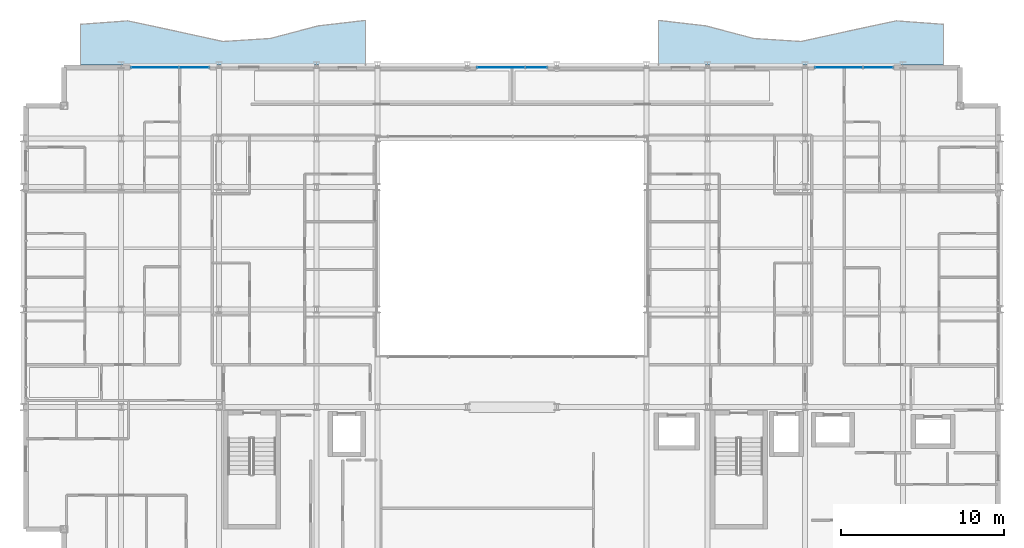
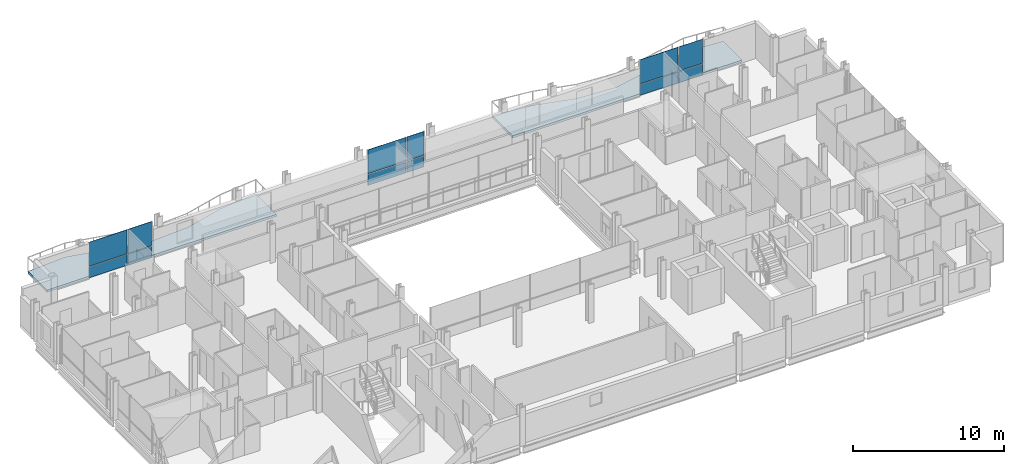
# One storey, part 29 of 41: 12 plates, 2 slabs, 3 elements without a shape of their own.
"""IFC4 building model written with IfcOpenShell, lengths in metres."""

from ifc_helpers import new_model, si_unit, direction, frame, origin, origin_2d, place, context, subcontext, project, spatial, polyline, rectangle, outline, extrude, material, layer, layer_set, type_object, element, aggregate, save


model = new_model("IFC4")

# Units and contexts
model_context = context("Model", 3, precision=1e-05, world=origin(), true_north=direction((0.0, 1.0)))
body_context = subcontext(model_context, "Body", "Model", "MODEL_VIEW")
ifc_project = project(units=[si_unit("LENGTHUNIT", "METRE"), si_unit("AREAUNIT", "SQUARE_METRE"), si_unit("VOLUMEUNIT", "CUBIC_METRE"), si_unit("PLANEANGLEUNIT", "RADIAN"), si_unit("MASSUNIT", "GRAM", prefix="KILO")], contexts=[model_context])

# Site, building, storey
site_placement = place(None, origin())
site = spatial("IfcSite", under=ifc_project, at=site_placement, CompositionType="ELEMENT")
building_placement = place(site_placement, origin())
building = spatial("IfcBuilding", under=site, at=building_placement, Name="Brevholm Reach", CompositionType="ELEMENT")
storey_placement = place(building_placement, frame((0.0, 0.0, 74.5)))
storey = spatial("IfcBuildingStorey", under=building, at=storey_placement, Name="L21", CompositionType="ELEMENT", Elevation=74.5)

# Curtain wall, plates
ifc_material_1 = material(Name="Dark Anodised Aluminium 6063-T6 and Solar-Control Glass", Category="aluminium")
ifc_layer_1 = layer(ifc_material_1, 0.14990234375)
ifc_layer_set_1 = layer_set([ifc_layer_1], Name="Dark Anodised Aluminium 6063-T6 and Solar-Control Glass")
curtain_wall_type = type_object("IfcCurtainWallType", Name="CW-01", PredefinedType="NOTDEFINED", material=ifc_layer_set_1)
curtain_wall_1_placement = place(storey_placement, origin())
curtain_wall_1 = element("IfcCurtainWall", 1, at=curtain_wall_1_placement, inside=storey, type_object=curtain_wall_type, Name="L21 Curtain Wall CW-01", PredefinedType="NOTDEFINED")
ifc_material_2 = material(Name="Dark Solar-Control Double-Glazed IGU Glass", Category="glass")
ifc_layer_2 = layer(ifc_material_2, 0.028076171875)
ifc_layer_set_2 = layer_set([ifc_layer_2], Name="Dark Solar-Control Double-Glazed IGU Glass")
plate_type = type_object("IfcPlateType", Name="CWP-GLZ-28", PredefinedType="CURTAIN_PANEL", material=ifc_layer_set_2)
plate_1_placement = place(storey_placement, frame((8.066162109375, 30.85009765625, 0.0), z_axis=(0.0, 0.0, 1.0), x_axis=(1.0, 0.0, 0.0)))
plate_1 = element("IfcPlate", 2, at=plate_1_placement, type_object=plate_type, Name="CP-01 Glazing Panel 1.1", PredefinedType="CURTAIN_PANEL", context=body_context, shape_type="SweptSolid", body=[
    extrude(rectangle(XDim=2.902587890625, YDim=0.028076171875, at=origin_2d()), origin(), (0.0, 0.0, 1.0), 0.867431640625),
])
plate_2_placement = place(storey_placement, frame((8.066162109375, 30.85009765625, 0.9326171875), z_axis=(0.0, 0.0, 1.0), x_axis=(1.0, 0.0, 0.0)))
plate_2 = element("IfcPlate", 3, at=plate_2_placement, type_object=plate_type, Name="CP-01 Glazing Panel 1.2", PredefinedType="CURTAIN_PANEL", context=body_context, shape_type="SweptSolid", body=[
    extrude(rectangle(XDim=2.902587890625, YDim=0.028076171875, at=origin_2d()), origin(), (0.0, 0.0, 1.0), 1.9375),
])
plate_3_placement = place(storey_placement, frame((10.483642578125, 30.85009765625, 0.0), z_axis=(0.0, 0.0, 1.0), x_axis=(1.0, 0.0, 0.0)))
plate_3 = element("IfcPlate", 4, at=plate_3_placement, type_object=plate_type, Name="CP-01 Glazing Panel 2.1", PredefinedType="CURTAIN_PANEL", context=body_context, shape_type="SweptSolid", body=[
    extrude(rectangle(XDim=1.802490234375, YDim=0.028076171875, at=origin_2d()), origin(), (0.0, 0.0, 1.0), 0.867431640625),
])
plate_4_placement = place(storey_placement, frame((10.483642578125, 30.85009765625, 0.9326171875), z_axis=(0.0, 0.0, 1.0), x_axis=(1.0, 0.0, 0.0)))
plate_4 = element("IfcPlate", 5, at=plate_4_placement, type_object=plate_type, Name="CP-01 Glazing Panel 2.2", PredefinedType="CURTAIN_PANEL", context=body_context, shape_type="SweptSolid", body=[
    extrude(rectangle(XDim=1.802490234375, YDim=0.028076171875, at=origin_2d()), origin(), (0.0, 0.0, 1.0), 1.9375),
])
aggregate(curtain_wall_1, [plate_1, plate_2, plate_3, plate_4])

curtain_wall_2_placement = place(storey_placement, origin())
curtain_wall_2 = element("IfcCurtainWall", 6, at=curtain_wall_2_placement, inside=storey, type_object=curtain_wall_type, Name="L21 Curtain Wall CW-01", PredefinedType="NOTDEFINED")
plate_5_placement = place(storey_placement, frame((29.316162109375, 30.85009765625, 0.0), z_axis=(0.0, 0.0, 1.0), x_axis=(1.0, 0.0, 0.0)))
plate_5 = element("IfcPlate", 7, at=plate_5_placement, type_object=plate_type, Name="CP-01 Glazing Panel 1.1", PredefinedType="CURTAIN_PANEL", context=body_context, shape_type="SweptSolid", body=[
    extrude(rectangle(XDim=2.902587890625, YDim=0.028076171875, at=origin_2d()), origin(), (0.0, 0.0, 1.0), 0.867431640625),
])
plate_6_placement = place(storey_placement, frame((29.316162109375, 30.85009765625, 0.9326171875), z_axis=(0.0, 0.0, 1.0), x_axis=(1.0, 0.0, 0.0)))
plate_6 = element("IfcPlate", 8, at=plate_6_placement, type_object=plate_type, Name="CP-01 Glazing Panel 1.2", PredefinedType="CURTAIN_PANEL", context=body_context, shape_type="SweptSolid", body=[
    extrude(rectangle(XDim=2.902587890625, YDim=0.028076171875, at=origin_2d()), origin(), (0.0, 0.0, 1.0), 1.9375),
])
plate_7_placement = place(storey_placement, frame((31.483642578125, 30.85009765625, 0.0), z_axis=(0.0, 0.0, 1.0), x_axis=(1.0, 0.0, 0.0)))
plate_7 = element("IfcPlate", 9, at=plate_7_placement, type_object=plate_type, Name="CP-01 Glazing Panel 2.1", PredefinedType="CURTAIN_PANEL", context=body_context, shape_type="SweptSolid", body=[
    extrude(rectangle(XDim=1.302490234375, YDim=0.028076171875, at=origin_2d()), origin(), (0.0, 0.0, 1.0), 0.867431640625),
])
plate_8_placement = place(storey_placement, frame((31.483642578125, 30.85009765625, 0.9326171875), z_axis=(0.0, 0.0, 1.0), x_axis=(1.0, 0.0, 0.0)))
plate_8 = element("IfcPlate", 10, at=plate_8_placement, type_object=plate_type, Name="CP-01 Glazing Panel 2.2", PredefinedType="CURTAIN_PANEL", context=body_context, shape_type="SweptSolid", body=[
    extrude(rectangle(XDim=1.302490234375, YDim=0.028076171875, at=origin_2d()), origin(), (0.0, 0.0, 1.0), 1.9375),
])
aggregate(curtain_wall_2, [plate_5, plate_6, plate_7, plate_8])

curtain_wall_3_placement = place(storey_placement, origin())
curtain_wall_3 = element("IfcCurtainWall", 11, at=curtain_wall_3_placement, inside=storey, type_object=curtain_wall_type, Name="L21 Curtain Wall CW-01", PredefinedType="NOTDEFINED")
plate_9_placement = place(storey_placement, frame((50.066162109375, 30.85009765625, 0.0), z_axis=(0.0, 0.0, 1.0), x_axis=(1.0, 0.0, 0.0)))
plate_9 = element("IfcPlate", 12, at=plate_9_placement, type_object=plate_type, Name="CP-01 Glazing Panel 1.1", PredefinedType="CURTAIN_PANEL", context=body_context, shape_type="SweptSolid", body=[
    extrude(rectangle(XDim=2.902587890625, YDim=0.028076171875, at=origin_2d()), origin(), (0.0, 0.0, 1.0), 0.867431640625),
])
plate_10_placement = place(storey_placement, frame((50.066162109375, 30.85009765625, 0.9326171875), z_axis=(0.0, 0.0, 1.0), x_axis=(1.0, 0.0, 0.0)))
plate_10 = element("IfcPlate", 13, at=plate_10_placement, type_object=plate_type, Name="CP-01 Glazing Panel 1.2", PredefinedType="CURTAIN_PANEL", context=body_context, shape_type="SweptSolid", body=[
    extrude(rectangle(XDim=2.902587890625, YDim=0.028076171875, at=origin_2d()), origin(), (0.0, 0.0, 1.0), 1.9375),
])
plate_11_placement = place(storey_placement, frame((52.483642578125, 30.85009765625, 0.0), z_axis=(0.0, 0.0, 1.0), x_axis=(1.0, 0.0, 0.0)))
plate_11 = element("IfcPlate", 14, at=plate_11_placement, type_object=plate_type, Name="CP-01 Glazing Panel 2.1", PredefinedType="CURTAIN_PANEL", context=body_context, shape_type="SweptSolid", body=[
    extrude(rectangle(XDim=1.802490234375, YDim=0.028076171875, at=origin_2d()), origin(), (0.0, 0.0, 1.0), 0.867431640625),
])
plate_12_placement = place(storey_placement, frame((52.483642578125, 30.85009765625, 0.9326171875), z_axis=(0.0, 0.0, 1.0), x_axis=(1.0, 0.0, 0.0)))
plate_12 = element("IfcPlate", 15, at=plate_12_placement, type_object=plate_type, Name="CP-01 Glazing Panel 2.2", PredefinedType="CURTAIN_PANEL", context=body_context, shape_type="SweptSolid", body=[
    extrude(rectangle(XDim=1.802490234375, YDim=0.028076171875, at=origin_2d()), origin(), (0.0, 0.0, 1.0), 1.9375),
])
aggregate(curtain_wall_3, [plate_9, plate_10, plate_11, plate_12])

# Slabs
ifc_material_3 = material(Name="Precast Concrete C40/50", Category="concrete")
ifc_layer_3 = layer(ifc_material_3, 0.179931640625)
ifc_layer_set_3 = layer_set([ifc_layer_3], Name="Precast Concrete C40/50")
slab_type = type_object("IfcSlabType", Name="SLB-BAL-180", PredefinedType="FLOOR", material=ifc_layer_set_3)
slab_1_placement = place(storey_placement, frame((0.0, 0.0, -0.179931640625)))
element("IfcSlab", 16, at=slab_1_placement, inside=storey, type_object=slab_type, Name="L21 Rippling External Balcony NE", PredefinedType="FLOOR", context=body_context, shape_type="SweptSolid", body=[
    extrude(outline(polyline([(39.0, 31.0), (56.5, 31.0), (56.5, 33.499755859375), (53.583251953125, 33.713134765625), (50.666748046875, 33.0869140625), (47.75, 32.44482421875), (44.833251953125, 32.632080078125), (41.916748046875, 33.402099609375), (39.0, 33.74169921875), (39.0, 31.0)])), origin(), (0.0, 0.0, 1.0), 0.179931640625),
])
slab_2_placement = place(storey_placement, frame((0.0, 0.0, -0.179931640625)))
element("IfcSlab", 17, at=slab_2_placement, inside=storey, type_object=slab_type, Name="L21 Rippling External Balcony NW", PredefinedType="FLOOR", context=body_context, shape_type="SweptSolid", body=[
    extrude(outline(polyline([(3.5, 31.0), (21.0, 31.0), (21.0, 33.74169921875), (18.083251953125, 33.402099609375), (15.166748046875, 32.632080078125), (12.25, 32.44482421875), (9.333251953125, 33.0869140625), (6.416748046875, 33.713134765625), (3.5, 33.499755859375), (3.5, 31.0)])), origin(), (0.0, 0.0, 1.0), 0.179931640625),
])

save(model, "model.ifc")
